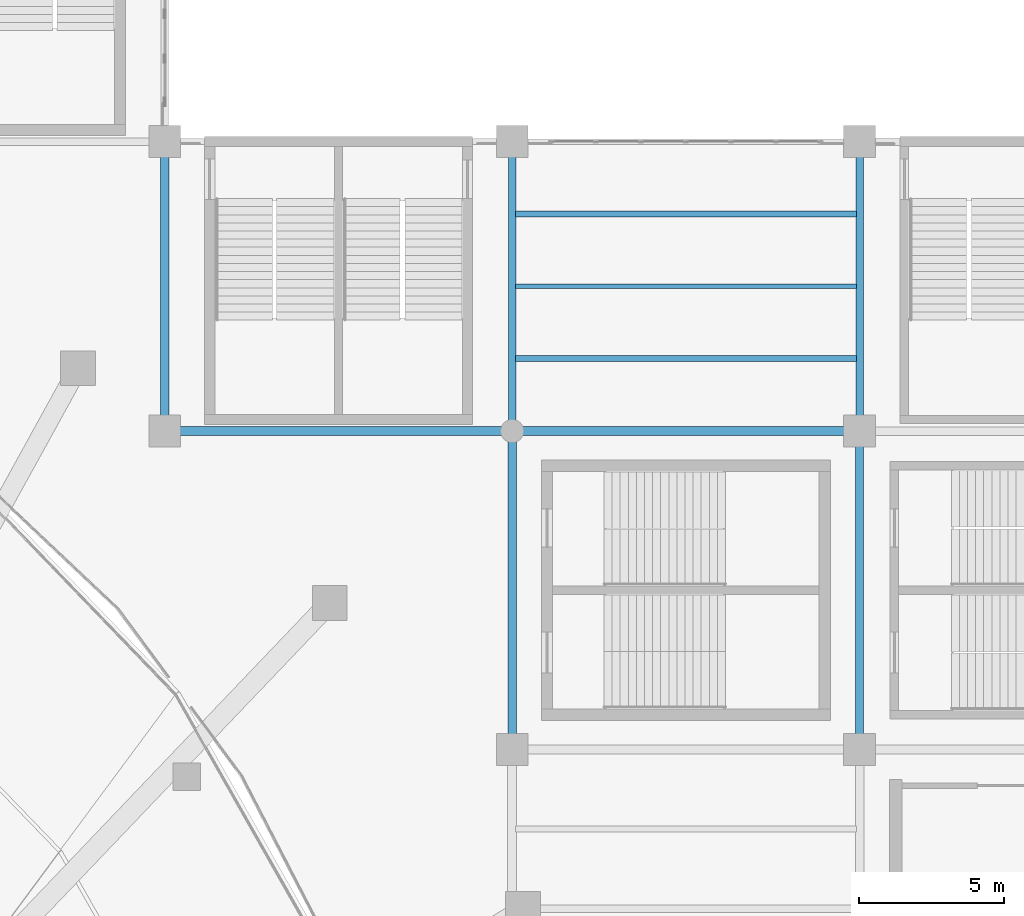
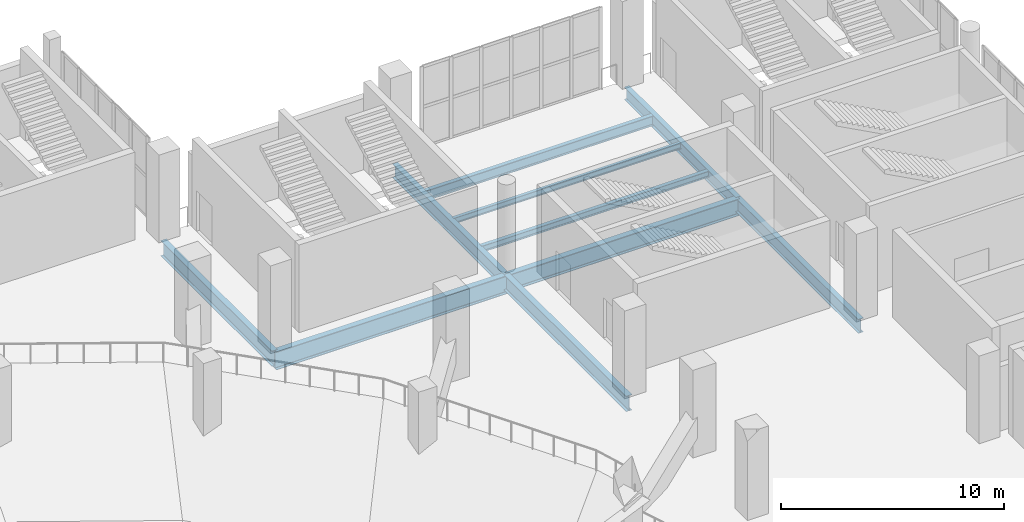
# One storey, part 86 of 136: 10 beams.
"""IFC4 building model written with IfcOpenShell, lengths in metres."""

import ifcopenshell
import ifcopenshell.guid

model = None  # the IFC model being written
_history = None  # IfcOwnerHistory: only IFC2X3 demands one
_inside = {}  # id of a spatial element -> (the spatial element, [elements in it])
_under = {}  # id of a project, library or spatial element -> (it, [spatial elements below it])
_declared = {}  # id of a project -> (the project, [libraries it declares])
_typed = {}  # id of a type object -> (the type object, [elements of that type])
_made_of = {}  # id of a material, layer set ... -> (it, [elements and type objects made of it])


def new_model(schema):
    """Start an empty IFC model of exactly this schema.

    Asked for "IFC4X3", IfcOpenShell would pick the latest addendum, in which some entities
    have other attributes; the version numbers below select the first issue.
    IFC2X3 requires an IfcOwnerHistory on every rooted entity: one is made here for all.
    """
    global model, _history
    if schema == "IFC4X3":
        model = ifcopenshell.file(schema_version=(4, 3, 0, 0))
    else:
        model = ifcopenshell.file(schema=schema)
    _inside.clear()
    _under.clear()
    _declared.clear()
    _typed.clear()
    _made_of.clear()
    _history = None
    if model.schema == "IFC2X3":
        org = make("IfcOrganization", Name="unknown")
        user = make(
            "IfcPersonAndOrganization",
            ThePerson=make("IfcPerson", FamilyName="unknown"),
            TheOrganization=org,
        )
        app = make(
            "IfcApplication",
            ApplicationDeveloper=org,
            Version="unknown",
            ApplicationFullName="unknown",
            ApplicationIdentifier="unknown",
        )
        _history = make(
            "IfcOwnerHistory",
            OwningUser=user,
            OwningApplication=app,
            ChangeAction="ADDED",
            CreationDate=0,
        )
    return model


def make(cls, **values):
    """One entity of the class cls with the attributes given. An attribute that is None is left unset."""
    return model.create_entity(
        cls, **{name: value for name, value in values.items() if value is not None}
    )


def rooted(cls, **values):
    """An entity with a GlobalId (a new one), such as an element, a storey or a relation."""
    return make(cls, GlobalId=ifcopenshell.guid.new(), OwnerHistory=_history, **values)


def si_unit(unit_type, name, prefix=None):
    """IfcSIUnit, for example si_unit("LENGTHUNIT", "METRE", prefix="MILLI")."""
    return make("IfcSIUnit", UnitType=unit_type, Prefix=prefix, Name=name)


def assignment(units):
    """IfcUnitAssignment: the units of a project."""
    return None if units is None else make("IfcUnitAssignment", Units=units)


def point(xyz):
    """IfcCartesianPoint."""
    return None if xyz is None else make("IfcCartesianPoint", Coordinates=xyz)


def direction(xyz):
    """IfcDirection."""
    return None if xyz is None else make("IfcDirection", DirectionRatios=xyz)


def frame(location, z_axis=None, x_axis=None):
    """IfcAxis2Placement3D, a coordinate frame: its origin and axes. An axis left out is left unset."""
    return make(
        "IfcAxis2Placement3D",
        Location=point(location),
        Axis=direction(z_axis),
        RefDirection=direction(x_axis),
    )


def frame_2d(location, x_axis=None):
    """IfcAxis2Placement2D, a coordinate frame in the plane: its origin and x axis."""
    return make(
        "IfcAxis2Placement2D", Location=point(location), RefDirection=direction(x_axis)
    )


def origin():
    """The frame at (0, 0, 0) with its axes left unset."""
    return frame((0.0, 0.0, 0.0))


def origin_2d():
    """The frame at (0, 0) in the plane with its x axis left unset."""
    return frame_2d((0.0, 0.0))


def place(relative_to, where):
    """IfcLocalPlacement: puts the frame where relative to a parent placement (None: the world)."""
    return make(
        "IfcLocalPlacement", PlacementRelTo=relative_to, RelativePlacement=where
    )


def context(
    kind, dimensions, precision=None, world=None, true_north=None, identifier=None
):
    """IfcGeometricRepresentationContext, for example the 3D "Model" context."""
    return make(
        "IfcGeometricRepresentationContext",
        ContextIdentifier=identifier,
        ContextType=kind,
        CoordinateSpaceDimension=dimensions,
        Precision=precision,
        WorldCoordinateSystem=world,
        TrueNorth=true_north,
    )


def subcontext(parent, identifier, kind, view, scale=None):
    """IfcGeometricRepresentationSubContext, for example "Body" below "Model"."""
    return make(
        "IfcGeometricRepresentationSubContext",
        ContextIdentifier=identifier,
        ContextType=kind,
        ParentContext=parent,
        TargetScale=scale,
        TargetView=view,
    )


def project(units=None, contexts=None):
    """IfcProject with its units and contexts."""
    return rooted(
        "IfcProject",
        Name="project",
        RepresentationContexts=contexts,
        UnitsInContext=assignment(units),
    )


def spatial(cls, under=None, at=None, **own):
    """A site, building, storey or space (cls), placed at a placement, below another one or the project."""
    s = rooted(cls, ObjectPlacement=at, **own)
    if under is not None:
        _under.setdefault(under.id(), (under, []))[1].append(s)
    return s


def profile(cls, at=None, kind="AREA", **sizes):
    """A parametric profile (cls). Its sizes go by their IFC names, for example OverallWidth=200.0."""
    return make(cls, ProfileType=kind, Position=at, **sizes)


def i_section(**sizes):
    """IfcIShapeProfileDef."""
    return profile("IfcIShapeProfileDef", **sizes)


def extrude(swept, where, along, depth):
    """IfcExtrudedAreaSolid: the profile swept, set in the frame where, extruded along a direction by depth."""
    return make(
        "IfcExtrudedAreaSolid",
        SweptArea=swept,
        Position=where,
        ExtrudedDirection=direction(along),
        Depth=depth,
    )


def shape(context_of_items, identifier, shape_type, items):
    """IfcShapeRepresentation: the items that make up one representation, for example the "Body"."""
    return make(
        "IfcShapeRepresentation",
        ContextOfItems=context_of_items,
        RepresentationIdentifier=identifier,
        RepresentationType=shape_type,
        Items=items,
    )


def material(Name=None, Category=None):
    """IfcMaterial."""
    return make("IfcMaterial", Name=Name, Category=Category)


def material_profile(
    of_material, cross_section, Name=None, Category=None, Priority=None
):
    """IfcMaterialProfile: a cross section and its material."""
    return make(
        "IfcMaterialProfile",
        Name=Name,
        Material=of_material,
        Profile=cross_section,
        Priority=Priority,
        Category=Category,
    )


def profile_set(profiles, Name=None, composite=None):
    """IfcMaterialProfileSet."""
    return make(
        "IfcMaterialProfileSet",
        Name=Name,
        MaterialProfiles=profiles,
        CompositeProfile=composite,
    )


def made_of(thing, what):
    """Note that an element or type object is made of a material, layer set ...; save() writes the relation."""
    if what is not None:
        _made_of.setdefault(what.id(), (what, []))[1].append(thing)
    return thing


def type_object(cls, material=None, **own):
    """A type object (cls), such as IfcWallType, which elements share."""
    return made_of(rooted(cls, **own), material)


def element(
    cls,
    number,
    at=None,
    inside=None,
    cuts=None,
    type_object=None,
    material=None,
    context=None,
    identifier="Body",
    shape_type=None,
    held_by="IfcProductDefinitionShape",
    body=None,
    shapes=None,
    **own,
):
    """One element of the class cls, such as IfcWall. Its Tag is "e" and its number.

    at: its placement. inside: the storey or other place that contains it. cuts: it is an
    opening in that element (IfcRelVoidsElement). A single representation is given by context,
    identifier, shape_type and body (its items); several are given by shapes. held_by: the class
    of the entity that holds the representations. save() writes the other relations.
    """
    e = rooted(cls, Tag="e%d" % number, ObjectPlacement=at, **own)
    if body is not None:
        shapes = [shape(context, identifier, shape_type, body)]
    if shapes is not None:
        e.Representation = make(held_by, Representations=shapes)
    if inside is not None:
        _inside.setdefault(inside.id(), (inside, []))[1].append(e)
    if cuts is not None:
        rooted(
            "IfcRelVoidsElement", RelatingBuildingElement=cuts, RelatedOpeningElement=e
        )
    if type_object is not None:
        _typed.setdefault(type_object.id(), (type_object, []))[1].append(e)
    return made_of(e, material)


def aggregate(whole, parts):
    """IfcRelAggregates: a whole, such as a stair, and the parts it consists of."""
    return rooted("IfcRelAggregates", RelatingObject=whole, RelatedObjects=parts)


def save(model, path):
    """Write the relations noted so far, then the file.

    IfcRelAggregates (storeys below a building ...), IfcRelContainedInSpatialStructure (elements
    in a storey), IfcRelDefinesByType, IfcRelAssociatesMaterial and IfcRelDeclares: one each for
    every whole, place, type object, material and project.
    """
    for whole, parts in _under.values():
        aggregate(whole, parts)
    for where, things in _inside.values():
        rooted(
            "IfcRelContainedInSpatialStructure",
            RelatedElements=things,
            RelatingStructure=where,
        )
    for kind, things in _typed.values():
        rooted("IfcRelDefinesByType", RelatedObjects=things, RelatingType=kind)
    for what, things in _made_of.values():
        rooted("IfcRelAssociatesMaterial", RelatedObjects=things, RelatingMaterial=what)
    for by, libraries in _declared.values():
        rooted("IfcRelDeclares", RelatingContext=by, RelatedDefinitions=libraries)
    model.write(path)


model = new_model("IFC4")

# Units and contexts
model_context = context("Model", 3, precision=1e-05, world=origin(), true_north=direction((0.0, 1.0)))
body_context = subcontext(model_context, "Body", "Model", "MODEL_VIEW")
ifc_project = project(units=[si_unit("LENGTHUNIT", "METRE"), si_unit("AREAUNIT", "SQUARE_METRE"), si_unit("VOLUMEUNIT", "CUBIC_METRE"), si_unit("PLANEANGLEUNIT", "RADIAN"), si_unit("MASSUNIT", "GRAM", prefix="KILO")], contexts=[model_context])

# Site, building, storey
site_placement = place(None, origin())
site = spatial("IfcSite", under=ifc_project, at=site_placement, CompositionType="ELEMENT")
building_placement = place(site_placement, origin())
building = spatial("IfcBuilding", under=site, at=building_placement, Name="Brinegate Civic Arena", CompositionType="ELEMENT")
storey_placement = place(building_placement, frame((0.0, 0.0, 5.39990234375)))
storey = spatial("IfcBuildingStorey", under=building, at=storey_placement, Name="L01", CompositionType="ELEMENT", Elevation=5.39990234375)

# Beams
ifc_material = material(Name="Steel S355", Category="steel")
ifc_material_profile_1 = material_profile(ifc_material, i_section(OverallWidth=0.300048828125, OverallDepth=1.0, WebThickness=0.01904296875, FlangeThickness=0.031982421875, FilletRadius=0.02392578125, at=origin_2d()), Name="W1000X321")
ifc_profile_set_1 = profile_set([ifc_material_profile_1], Name="Steel S355")
beam_type_1 = type_object("IfcBeamType", Name="GIRDER-W1000X321", PredefinedType="BEAM", material=ifc_profile_set_1)
beam_1_placement = place(storey_placement, frame((132.0, 104.0, -0.83984375), z_axis=(1.0, 0.0, 0.0), x_axis=(0.0, 1.0, 0.0)))
element("IfcBeam", 1, at=beam_1_placement, inside=storey, type_object=beam_type_1, Name="Floor Girder BM-L01-GX-11-10", PredefinedType="BEAM", context=body_context, shape_type="SweptSolid", body=[
    extrude(i_section(OverallWidth=0.300048828125, OverallDepth=1.0, WebThickness=0.01904296875, FlangeThickness=0.031982421875, FilletRadius=0.02392578125, at=origin_2d()), origin(), (0.0, 0.0, 1.0), 12.0),
])
ifc_material_profile_2 = material_profile(ifc_material, i_section(OverallWidth=0.256103515625, OverallDepth=0.693115234375, WebThickness=0.014892578125, FlangeThickness=0.02392578125, FilletRadius=0.01806640625, at=origin_2d()), Name="W690X170")
ifc_profile_set_2 = profile_set([ifc_material_profile_2], Name="Steel S355")
beam_type_2 = type_object("IfcBeamType", Name="GIRDER-W690X170", PredefinedType="BEAM", material=ifc_profile_set_2)
beam_2_placement = place(storey_placement, frame((156.0, 104.0, -0.685791015625), z_axis=(0.0, 1.0, 0.0), x_axis=(-1.0, 0.0, 0.0)))
element("IfcBeam", 2, at=beam_2_placement, inside=storey, type_object=beam_type_2, Name="Floor Girder BM-L01-GY-13-10", PredefinedType="BEAM", context=body_context, shape_type="SweptSolid", body=[
    extrude(i_section(OverallWidth=0.256103515625, OverallDepth=0.693115234375, WebThickness=0.014892578125, FlangeThickness=0.02392578125, FilletRadius=0.01806640625, at=origin_2d()), origin(), (0.0, 0.0, 1.0), 10.0),
])
ifc_material_profile_3 = material_profile(ifc_material, i_section(OverallWidth=0.26806640625, OverallDepth=0.77001953125, WebThickness=0.01611328125, FlangeThickness=0.02490234375, FilletRadius=0.02001953125, at=origin_2d()), Name="W760X196")
ifc_profile_set_3 = profile_set([ifc_material_profile_3], Name="Steel S355")
beam_type_3 = type_object("IfcBeamType", Name="GIRDER-W760X196", PredefinedType="BEAM", material=ifc_profile_set_3)
beam_3_placement = place(storey_placement, frame((144.0, 104.0, -0.724853515625), z_axis=(0.0, 1.0, 0.0), x_axis=(-1.0, 0.0, 0.0)))
element("IfcBeam", 3, at=beam_3_placement, inside=storey, type_object=beam_type_3, Name="Floor Girder BM-L01-GY-12-10", PredefinedType="BEAM", context=body_context, shape_type="SweptSolid", body=[
    extrude(i_section(OverallWidth=0.26806640625, OverallDepth=0.77001953125, WebThickness=0.01611328125, FlangeThickness=0.02490234375, FilletRadius=0.02001953125, at=origin_2d()), origin(), (0.0, 0.0, 1.0), 10.0),
])
beam_4_placement = place(storey_placement, frame((156.0, 93.0, -0.724853515625), z_axis=(0.0, 1.0, 0.0), x_axis=(-1.0, 0.0, 0.0)))
element("IfcBeam", 4, at=beam_4_placement, inside=storey, type_object=beam_type_3, Name="Floor Girder BM-L01-GY-13-09", PredefinedType="BEAM", context=body_context, shape_type="SweptSolid", body=[
    extrude(i_section(OverallWidth=0.26806640625, OverallDepth=0.77001953125, WebThickness=0.01611328125, FlangeThickness=0.02490234375, FilletRadius=0.02001953125, at=origin_2d()), origin(), (0.0, 0.0, 1.0), 11.0),
])
ifc_material_profile_4 = material_profile(ifc_material, i_section(OverallWidth=0.2939453125, OverallDepth=0.85107421875, WebThickness=0.01611328125, FlangeThickness=0.027099609375, FilletRadius=0.02197265625, at=origin_2d()), Name="W840X226")
ifc_profile_set_4 = profile_set([ifc_material_profile_4], Name="Steel S355")
beam_type_4 = type_object("IfcBeamType", Name="GIRDER-W840X226", PredefinedType="BEAM", material=ifc_profile_set_4)
beam_5_placement = place(storey_placement, frame((132.0, 104.0, -0.764892578125), z_axis=(0.0, 1.0, 0.0), x_axis=(-1.0, 0.0, 0.0)))
element("IfcBeam", 5, at=beam_5_placement, inside=storey, type_object=beam_type_4, Name="Floor Girder BM-L01-GY-11-10", PredefinedType="BEAM", context=body_context, shape_type="SweptSolid", body=[
    extrude(i_section(OverallWidth=0.2939453125, OverallDepth=0.85107421875, WebThickness=0.01611328125, FlangeThickness=0.027099609375, FilletRadius=0.02197265625, at=origin_2d()), origin(), (0.0, 0.0, 1.0), 10.0),
])
beam_6_placement = place(storey_placement, frame((144.0, 93.0, -0.764892578125), z_axis=(0.0, 1.0, 0.0), x_axis=(-1.0, 0.0, 0.0)))
element("IfcBeam", 6, at=beam_6_placement, inside=storey, type_object=beam_type_4, Name="Floor Girder BM-L01-GY-12-09", PredefinedType="BEAM", context=body_context, shape_type="SweptSolid", body=[
    extrude(i_section(OverallWidth=0.2939453125, OverallDepth=0.85107421875, WebThickness=0.01611328125, FlangeThickness=0.027099609375, FilletRadius=0.02197265625, at=origin_2d()), origin(), (0.0, 0.0, 1.0), 11.0),
])
ifc_material_profile_5 = material_profile(ifc_material, i_section(OverallWidth=0.30810546875, OverallDepth=0.927001953125, WebThickness=0.01904296875, FlangeThickness=0.031982421875, FilletRadius=0.02392578125, at=origin_2d()), Name="W920X289")
ifc_profile_set_5 = profile_set([ifc_material_profile_5], Name="Steel S355")
beam_type_5 = type_object("IfcBeamType", Name="GIRDER-W920X289", PredefinedType="BEAM", material=ifc_profile_set_5)
beam_7_placement = place(storey_placement, frame((144.0, 104.0, -0.802978515625), z_axis=(1.0, 0.0, 0.0), x_axis=(0.0, 1.0, 0.0)))
element("IfcBeam", 7, at=beam_7_placement, inside=storey, type_object=beam_type_5, Name="Floor Girder BM-L01-GX-12-10", PredefinedType="BEAM", context=body_context, shape_type="SweptSolid", body=[
    extrude(i_section(OverallWidth=0.30810546875, OverallDepth=0.927001953125, WebThickness=0.01904296875, FlangeThickness=0.031982421875, FilletRadius=0.02392578125, at=origin_2d()), origin(), (0.0, 0.0, 1.0), 12.0),
])
ifc_material_profile_6 = material_profile(ifc_material, i_section(OverallWidth=0.1669921875, OverallDepth=0.31689453125, WebThickness=0.008056640625, FlangeThickness=0.012939453125, FilletRadius=0.012939453125, at=origin_2d()), Name="W310X52")
ifc_profile_set_6 = profile_set([ifc_material_profile_6], Name="Steel S355")
beam_type_6 = type_object("IfcBeamType", Name="JOIST-W310X52", PredefinedType="JOIST", material=ifc_profile_set_6)
beam_8_placement = place(storey_placement, frame((144.10595703125, 109.0, -0.497802734375), z_axis=(1.0, 0.0, 0.0), x_axis=(0.0, 1.0, 0.0)))
element("IfcBeam", 8, at=beam_8_placement, inside=storey, type_object=beam_type_6, Name="Secondary Joist BM-L01-JX-12-10-2", PredefinedType="JOIST", context=body_context, shape_type="SweptSolid", body=[
    extrude(i_section(OverallWidth=0.1669921875, OverallDepth=0.31689453125, WebThickness=0.008056640625, FlangeThickness=0.012939453125, FilletRadius=0.012939453125, at=origin_2d()), origin(), (0.0, 0.0, 1.0), 11.7880859375),
])
ifc_material_profile_7 = material_profile(ifc_material, i_section(OverallWidth=0.202880859375, OverallDepth=0.346923828125, WebThickness=0.008056640625, FlangeThickness=0.013916015625, FilletRadius=0.013916015625, at=origin_2d()), Name="W360X64")
ifc_profile_set_7 = profile_set([ifc_material_profile_7], Name="Steel S355")
beam_type_7 = type_object("IfcBeamType", Name="JOIST-W360X64", PredefinedType="JOIST", material=ifc_profile_set_7)
beam_9_placement = place(storey_placement, frame((144.10595703125, 106.5, -0.512939453125), z_axis=(1.0, 0.0, 0.0), x_axis=(0.0, 1.0, 0.0)))
element("IfcBeam", 9, at=beam_9_placement, inside=storey, type_object=beam_type_7, Name="Secondary Joist BM-L01-JX-12-10-1", PredefinedType="JOIST", context=body_context, shape_type="SweptSolid", body=[
    extrude(i_section(OverallWidth=0.202880859375, OverallDepth=0.346923828125, WebThickness=0.008056640625, FlangeThickness=0.013916015625, FilletRadius=0.013916015625, at=origin_2d()), origin(), (0.0, 0.0, 1.0), 11.7880859375),
])
ifc_material_profile_8 = material_profile(ifc_material, i_section(OverallWidth=0.214111328125, OverallDepth=0.549072265625, WebThickness=0.014892578125, FlangeThickness=0.02392578125, FilletRadius=0.01611328125, at=origin_2d()), Name="W530X138")
ifc_profile_set_8 = profile_set([ifc_material_profile_8], Name="Steel S355")
beam_type_8 = type_object("IfcBeamType", Name="JOIST-W530X138", PredefinedType="JOIST", material=ifc_profile_set_8)
beam_10_placement = place(storey_placement, frame((144.10595703125, 111.5, -0.614013671875), z_axis=(1.0, 0.0, 0.0), x_axis=(0.0, 1.0, 0.0)))
element("IfcBeam", 10, at=beam_10_placement, inside=storey, type_object=beam_type_8, Name="Secondary Joist BM-L01-JX-12-10-3", PredefinedType="JOIST", context=body_context, shape_type="SweptSolid", body=[
    extrude(i_section(OverallWidth=0.214111328125, OverallDepth=0.549072265625, WebThickness=0.014892578125, FlangeThickness=0.02392578125, FilletRadius=0.01611328125, at=origin_2d()), origin(), (0.0, 0.0, 1.0), 11.7880859375),
])

save(model, "model.ifc")
